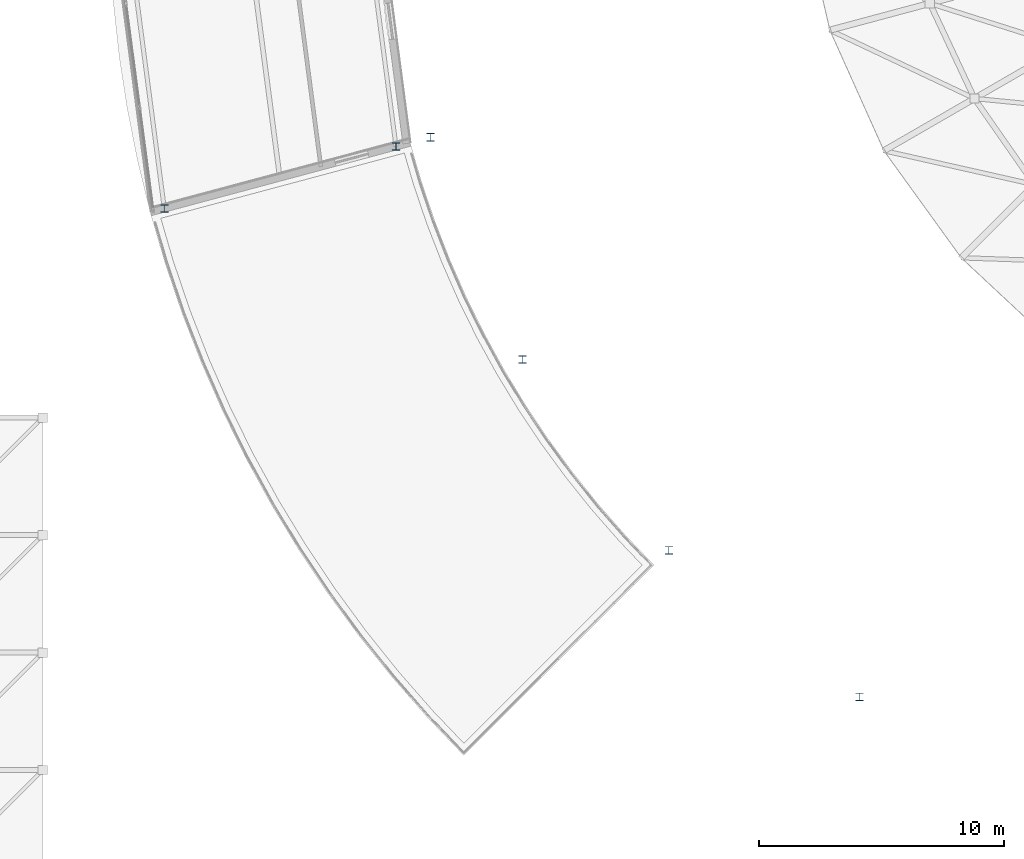
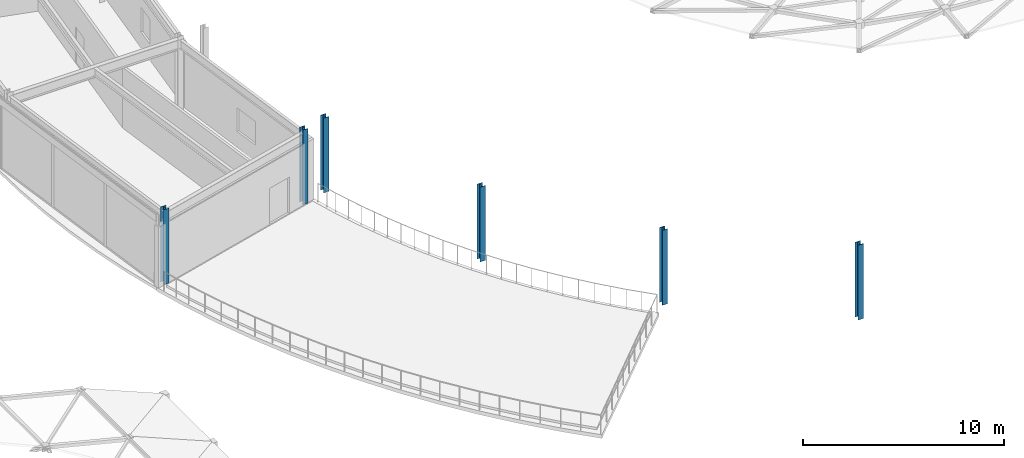
# One storey, part 1 of 116: 6 columns.
"""IFC4 building model written with IfcOpenShell, lengths in metres."""

from ifc_helpers import new_model, si_unit, direction, frame, origin, origin_2d, place, context, subcontext, project, spatial, i_section, extrude, material, material_profile, profile_set, type_object, element, save


model = new_model("IFC4")

# Units and contexts
model_context = context("Model", 3, precision=1e-05, world=origin(), true_north=direction((0.0, 1.0)))
body_context = subcontext(model_context, "Body", "Model", "MODEL_VIEW")
ifc_project = project(units=[si_unit("LENGTHUNIT", "METRE"), si_unit("AREAUNIT", "SQUARE_METRE"), si_unit("VOLUMEUNIT", "CUBIC_METRE"), si_unit("PLANEANGLEUNIT", "RADIAN"), si_unit("MASSUNIT", "GRAM", prefix="KILO")], contexts=[model_context])

# Site, building, storey
site_placement = place(None, origin())
site = spatial("IfcSite", under=ifc_project, at=site_placement, CompositionType="ELEMENT")
building_placement = place(site_placement, origin())
building = spatial("IfcBuilding", under=site, at=building_placement, Name="Almandine Court Research Institute", CompositionType="ELEMENT")
storey_placement = place(building_placement, frame((0.0, 0.0, 14.35009765625)))
storey = spatial("IfcBuildingStorey", under=building, at=storey_placement, Name="L03", CompositionType="ELEMENT", Elevation=14.35009765625)

# Columns
ifc_material = material(Name="Steel ASTM A992 Grade 50", Category="steel")
ifc_material_profile_1 = material_profile(ifc_material, i_section(OverallWidth=0.305908203125, OverallDepth=0.31103515625, WebThickness=0.010986328125, FlangeThickness=0.01708984375, at=origin_2d()), Name="W310x107")
ifc_profile_set_1 = profile_set([ifc_material_profile_1], Name="Steel ASTM A992 Grade 50")
column_type_1 = type_object("IfcColumnType", Name="Col-C-W08", PredefinedType="COLUMN", material=ifc_profile_set_1)
for number, where, z_axis, x_axis, name in (
    (1, (50.633056640625, 46.2548828125, 0.0), (0.0, 0.0, 1.0), (1.0, 0.0, 0.0), "L03 V2 Column V2-OUT-S13"),
    (2, (54.39404296875, 37.175048828125, 0.0), (0.0, 0.0, 1.0), (1.0, 0.0, 0.0), "L03 V2 Column V2-OUT-S14"),
    (3, (60.376953125, 29.376953125, 0.0), (0.0, 0.0, 1.0), (1.0, 0.0, 0.0), "L03 V2 Column V2-OUT-S15"),
    (4, (68.175048828125, 23.39404296875, 0.0), (0.0, 0.0, 1.0), (1.0, 0.0, 0.0), "L03 V2 Column V2-OUT-S16"),
):
    element("IfcColumn", number, at=place(storey_placement, frame(where, z_axis=z_axis, x_axis=x_axis)), inside=storey, type_object=column_type_1, Name=name, PredefinedType="COLUMN", context=body_context, shape_type="SweptSolid", body=[
        extrude(i_section(OverallWidth=0.305908203125, OverallDepth=0.31103515625, WebThickness=0.010986328125, FlangeThickness=0.01708984375, at=origin_2d()), origin(), (0.0, 0.0, 1.0), 4.5498046875),
    ])
ifc_material_profile_2 = material_profile(ifc_material, i_section(OverallWidth=0.305908203125, OverallDepth=0.31103515625, WebThickness=0.010986328125, FlangeThickness=0.01708984375, at=origin_2d()), Name="W310x107")
ifc_profile_set_2 = profile_set([ifc_material_profile_2], Name="Steel ASTM A992 Grade 50")
column_type_2 = type_object("IfcColumnType", Name="Col-C-W08-E", PredefinedType="COLUMN", material=ifc_profile_set_2)
for number, where, z_axis, x_axis, name in (
    (5, (49.23193359375, 45.8798828125, 0.0), (0.0, 0.0, 1.0), (1.0, 0.0, 0.0), "L03 V5 Column V5-IN-S13"),
    (6, (39.76611328125, 43.343994140625, 0.0), (0.0, 0.0, 1.0), (1.0, 0.0, 0.0), "L03 V5 Column V5-OUT-S13"),
):
    element("IfcColumn", number, at=place(storey_placement, frame(where, z_axis=z_axis, x_axis=x_axis)), inside=storey, type_object=column_type_2, Name=name, PredefinedType="COLUMN", context=body_context, shape_type="SweptSolid", body=[
        extrude(i_section(OverallWidth=0.305908203125, OverallDepth=0.31103515625, WebThickness=0.010986328125, FlangeThickness=0.01708984375, at=origin_2d()), origin(), (0.0, 0.0, 1.0), 4.5498046875),
    ])

save(model, "model.ifc")
